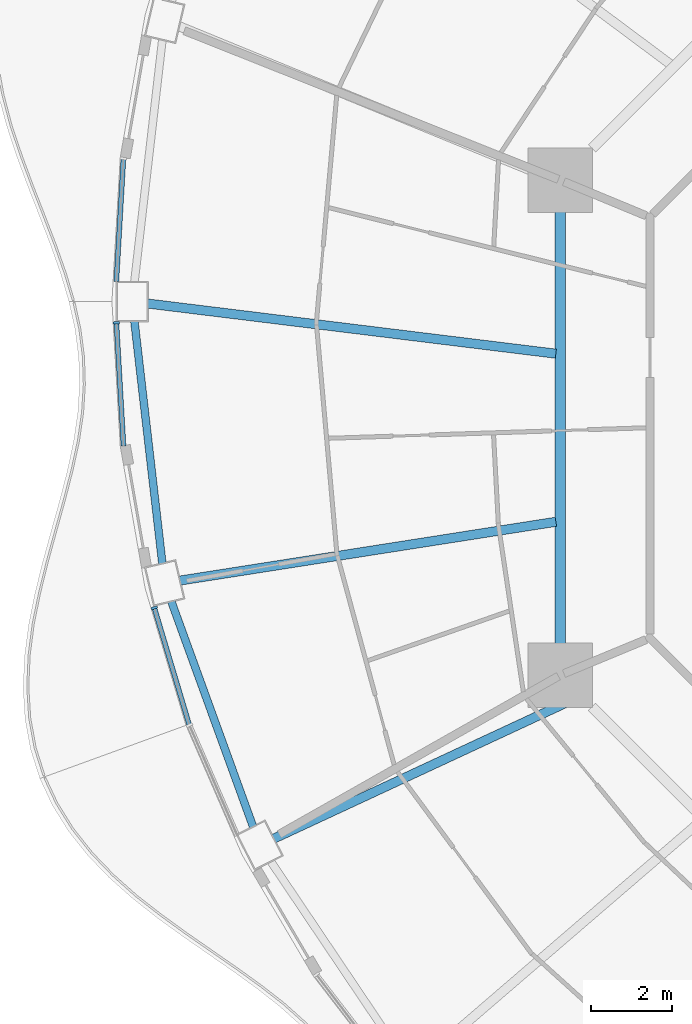
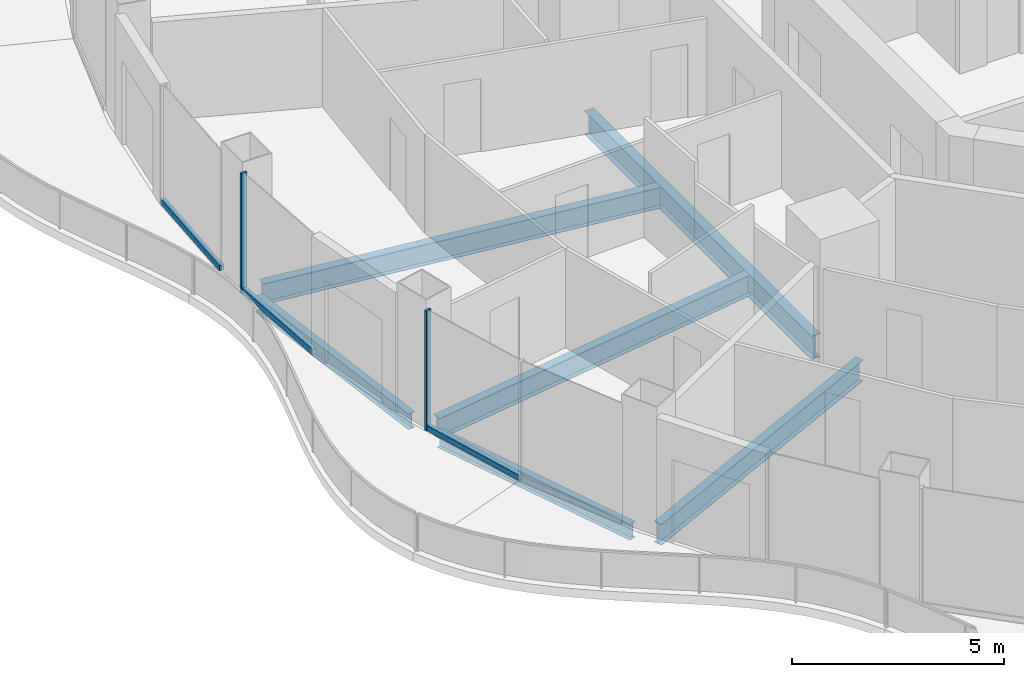
# One storey, part 3 of 18: 6 beams, 5 members, 3 elements without a shape of their own.
"""IFC4 building model written with IfcOpenShell, lengths in metres."""

from ifc_helpers import new_model, si_unit, direction, frame, origin, origin_2d, place, context, subcontext, project, spatial, rectangle, i_section, extrude, material, layer, layer_set, material_profile, profile_set, type_object, element, aggregate, save


model = new_model("IFC4")

# Units and contexts
model_context = context("Model", 3, precision=1e-05, world=origin(), true_north=direction((0.0, 1.0)))
body_context = subcontext(model_context, "Body", "Model", "MODEL_VIEW")
ifc_project = project(units=[si_unit("LENGTHUNIT", "METRE"), si_unit("AREAUNIT", "SQUARE_METRE"), si_unit("VOLUMEUNIT", "CUBIC_METRE"), si_unit("PLANEANGLEUNIT", "RADIAN"), si_unit("MASSUNIT", "GRAM", prefix="KILO")], contexts=[model_context])

# Site, building, storey
site_placement = place(None, origin())
site = spatial("IfcSite", under=ifc_project, at=site_placement, CompositionType="ELEMENT")
building_placement = place(site_placement, origin())
building = spatial("IfcBuilding", under=site, at=building_placement, Name="Nagisa Residences", CompositionType="ELEMENT")
storey_placement = place(building_placement, frame((0.0, 0.0, 215.89990234375)))
storey = spatial("IfcBuildingStorey", under=building, at=storey_placement, Name="L54", CompositionType="ELEMENT", Elevation=215.89990234375)

# Curtain wall, member
ifc_material_1 = material(Name="Concrete-coloured aluminium curtain wall system", Category="concrete")
ifc_layer = layer(ifc_material_1, 0.159912109375)
ifc_layer_set = layer_set([ifc_layer], Name="CW1 CURTAIN WALL")
curtain_wall_type = type_object("IfcCurtainWallType", Name="CW1 CURTAIN WALL", PredefinedType="NOTDEFINED", material=ifc_layer_set)
curtain_wall_1_placement = place(storey_placement, origin())
curtain_wall_1 = element("IfcCurtainWall", 1, at=curtain_wall_1_placement, inside=storey, type_object=curtain_wall_type, Name="cw:CW1:L54:24", PredefinedType="NOTDEFINED")
ifc_material_2 = material(Name="Concrete-coloured aluminium", Category="concrete")
ifc_material_profile_1 = material_profile(ifc_material_2, rectangle(XDim=0.159912109375, YDim=0.06005859375, at=origin_2d()), Name="CW1 MULLION 160x60")
ifc_profile_set_1 = profile_set([ifc_material_profile_1], Name="Concrete-coloured aluminium")
member_type_1 = type_object("IfcMemberType", Name="CW1 MULLION 160x60", PredefinedType="MULLION", material=ifc_profile_set_1)
member_1_placement = place(storey_placement, frame((-25.759765625, 2.59326171875, 0.0), z_axis=(0.0, 0.0, 1.0), x_axis=(0.998345305184, 0.057503492216, 0.0)))
member_1 = element("IfcMember", 2, at=member_1_placement, type_object=member_type_1, Name="CW1 mullion", PredefinedType="MULLION", context=body_context, shape_type="SweptSolid", body=[
    extrude(rectangle(XDim=0.159912109375, YDim=0.06005859375, at=origin_2d()), origin(), (0.0, 0.0, 1.0), 3.440185546875),
])

curtain_wall_2_placement = place(storey_placement, origin())
curtain_wall_2 = element("IfcCurtainWall", 3, at=curtain_wall_2_placement, inside=storey, type_object=curtain_wall_type, Name="cw:CW1:L54:26", PredefinedType="NOTDEFINED")
member_2_placement = place(storey_placement, frame((-24.82177734375, -4.456298828125, 0.0), z_axis=(0.0, 0.0, 1.0), x_axis=(0.958271310082, 0.285860274038, 0.0)))
member_2 = element("IfcMember", 4, at=member_2_placement, type_object=member_type_1, Name="CW1 mullion", PredefinedType="MULLION", context=body_context, shape_type="SweptSolid", body=[
    extrude(rectangle(XDim=0.159912109375, YDim=0.06005859375, at=origin_2d()), origin(), (0.0, 0.0, 1.0), 3.440185546875),
])

curtain_wall_3_placement = place(storey_placement, origin())
curtain_wall_3 = element("IfcCurtainWall", 5, at=curtain_wall_3_placement, inside=storey, type_object=curtain_wall_type, Name="cw:CW1:L54:23", PredefinedType="NOTDEFINED")
ifc_material_3 = material(Name="Concrete-coloured aluminium", Category="concrete")
ifc_material_profile_2 = material_profile(ifc_material_3, rectangle(XDim=0.1201171875, YDim=0.14990234375, at=origin_2d()), Name="CW1 TRANSOM 120x150")
ifc_profile_set_2 = profile_set([ifc_material_profile_2], Name="Concrete-coloured aluminium")
member_type_2 = type_object("IfcMemberType", Name="CW1 TRANSOM 120x150", PredefinedType="USERDEFINED", material=ifc_profile_set_2)
member_3_placement = place(storey_placement, frame((-25.584228515625, 6.688232421875, 0.0751953125), z_axis=(-0.057528189427, -0.998343882348, 0.0), x_axis=(0.998343882348, -0.057528189427, 0.0)))
member_3 = element("IfcMember", 6, at=member_3_placement, type_object=member_type_2, Name="CW1 transom", ObjectType="TRANSOM", PredefinedType="USERDEFINED", context=body_context, shape_type="SweptSolid", body=[
    extrude(rectangle(XDim=0.1201171875, YDim=0.14990234375, at=origin_2d()), origin(), (0.0, 0.0, 1.0), 3.0810546875),
])
aggregate(curtain_wall_3, [member_3])

# Member
member_4_placement = place(storey_placement, frame((-25.761474609375, 2.623046875, 0.0751953125), z_axis=(0.057528189427, -0.998343882348, 0.0), x_axis=(0.998343882348, 0.057528189427, 0.0)))
member_4 = element("IfcMember", 7, at=member_4_placement, type_object=member_type_2, Name="CW1 transom", ObjectType="TRANSOM", PredefinedType="USERDEFINED", context=body_context, shape_type="SweptSolid", body=[
    extrude(rectangle(XDim=0.1201171875, YDim=0.14990234375, at=origin_2d()), origin(), (0.0, 0.0, 1.0), 3.0810546875),
])

aggregate(curtain_wall_1, [member_1, member_4])

member_5_placement = place(storey_placement, frame((-24.830322265625, -4.427734375, 0.0751953125), z_axis=(0.285881452443, -0.958264992134, 0.0), x_axis=(0.958264992134, 0.285881452443, 0.0)))
member_5 = element("IfcMember", 8, at=member_5_placement, type_object=member_type_2, Name="CW1 transom", ObjectType="TRANSOM", PredefinedType="USERDEFINED", context=body_context, shape_type="SweptSolid", body=[
    extrude(rectangle(XDim=0.1201171875, YDim=0.14990234375, at=origin_2d()), origin(), (0.0, 0.0, 1.0), 3.040283203125),
])

aggregate(curtain_wall_2, [member_2, member_5])

# Beams
ifc_material_4 = material(Name="Steel ASTM A572 Gr 50", Category="steel")
ifc_material_profile_3 = material_profile(ifc_material_4, i_section(OverallWidth=0.2529296875, OverallDepth=0.677978515625, WebThickness=0.01171875, FlangeThickness=0.016357421875, at=origin_2d()), Name="W690x125")
ifc_profile_set_3 = profile_set([ifc_material_profile_3], Name="Steel ASTM A572 Gr 50")
beam_type_1 = type_object("IfcBeamType", Name="Inner ring beam W690x125", PredefinedType="BEAM", material=ifc_profile_set_3)
beam_1_placement = place(storey_placement, frame((-14.781982421875, 5.343017578125, -0.598876953125), z_axis=(0.0, -1.0, 0.0), x_axis=(1.0, 0.0, 0.0)))
element("IfcBeam", 9, at=beam_1_placement, inside=storey, type_object=beam_type_1, Name="beam:L54:ib4", PredefinedType="BEAM", context=body_context, shape_type="SweptSolid", body=[
    extrude(i_section(OverallWidth=0.2529296875, OverallDepth=0.677978515625, WebThickness=0.01171875, FlangeThickness=0.016357421875, at=origin_2d()), origin(), (0.0, 0.0, 1.0), 10.68603515625),
])
ifc_material_5 = material(Name="Steel ASTM A572 Gr 50", Category="steel")
ifc_material_profile_4 = material_profile(ifc_material_5, i_section(OverallWidth=0.18994140625, OverallDepth=0.45703125, WebThickness=0.009033203125, FlangeThickness=0.014404296875, at=origin_2d()), Name="W460x74")
ifc_profile_set_4 = profile_set([ifc_material_profile_4], Name="Steel ASTM A572 Gr 50")
beam_type_2 = type_object("IfcBeamType", Name="Perimeter ring beam W460x74", PredefinedType="BEAM", material=ifc_profile_set_4)
beam_2_placement = place(storey_placement, frame((-25.314697265625, 2.637451171875, -0.48828125), z_axis=(0.114650193512, -0.993405925656, 0.0), x_axis=(0.993405925656, 0.114650193512, 0.0)))
element("IfcBeam", 10, at=beam_2_placement, inside=storey, type_object=beam_type_2, Name="beam:L54:pb13", PredefinedType="BEAM", context=body_context, shape_type="SweptSolid", body=[
    extrude(i_section(OverallWidth=0.18994140625, OverallDepth=0.45703125, WebThickness=0.009033203125, FlangeThickness=0.014404296875, at=origin_2d()), origin(), (0.0, 0.0, 1.0), 6.0390625),
])
beam_3_placement = place(storey_placement, frame((-24.40185546875, -4.29638671875, -0.48828125), z_axis=(0.341290329164, -0.939957930558, 0.0), x_axis=(0.939957930558, 0.341290329164, 0.0)))
element("IfcBeam", 11, at=beam_3_placement, inside=storey, type_object=beam_type_2, Name="beam:L54:pb14", PredefinedType="BEAM", context=body_context, shape_type="SweptSolid", body=[
    extrude(i_section(OverallWidth=0.18994140625, OverallDepth=0.45703125, WebThickness=0.009033203125, FlangeThickness=0.014404296875, at=origin_2d()), origin(), (0.0, 0.0, 1.0), 5.932373046875),
])
ifc_material_6 = material(Name="Steel ASTM A572 Gr 50", Category="steel")
ifc_material_profile_5 = material_profile(ifc_material_6, i_section(OverallWidth=0.22802734375, OverallDepth=0.60302734375, WebThickness=0.010498046875, FlangeThickness=0.014892578125, at=origin_2d()), Name="W610x101")
ifc_profile_set_5 = profile_set([ifc_material_profile_5], Name="Steel ASTM A572 Gr 50")
beam_type_3 = type_object("IfcBeamType", Name="Radial beam W610x101", PredefinedType="BEAM", material=ifc_profile_set_5)
beam_4_placement = place(storey_placement, frame((-24.98974609375, 3.071044921875, -0.5615234375), z_axis=(0.992531892614, -0.121985417749, 0.0), x_axis=(0.121985417749, 0.992531892614, 0.0)))
element("IfcBeam", 12, at=beam_4_placement, inside=storey, type_object=beam_type_3, Name="beam:L54:rb13", PredefinedType="BEAM", context=body_context, shape_type="SweptSolid", body=[
    extrude(i_section(OverallWidth=0.22802734375, OverallDepth=0.60302734375, WebThickness=0.010498046875, FlangeThickness=0.014892578125, at=origin_2d()), origin(), (0.0, 0.0, 1.0), 10.177001953125),
])
beam_5_placement = place(storey_placement, frame((-24.190185546875, -3.782958984375, -0.5615234375), z_axis=(0.987991506145, 0.154508199738, 0.0), x_axis=(-0.154508199738, 0.987991506145, 0.0)))
element("IfcBeam", 13, at=beam_5_placement, inside=storey, type_object=beam_type_3, Name="beam:L54:rb14", PredefinedType="BEAM", context=body_context, shape_type="SweptSolid", body=[
    extrude(i_section(OverallWidth=0.22802734375, OverallDepth=0.60302734375, WebThickness=0.010498046875, FlangeThickness=0.014892578125, at=origin_2d()), origin(), (0.0, 0.0, 1.0), 9.414306640625),
])
beam_6_placement = place(storey_placement, frame((-21.867431640625, -10.1669921875, -0.5615234375), z_axis=(0.906781531642, 0.421600822903, 0.0), x_axis=(-0.421600822903, 0.906781531642, 0.0)))
element("IfcBeam", 14, at=beam_6_placement, inside=storey, type_object=beam_type_3, Name="beam:L54:rb15", PredefinedType="BEAM", context=body_context, shape_type="SweptSolid", body=[
    extrude(i_section(OverallWidth=0.22802734375, OverallDepth=0.60302734375, WebThickness=0.010498046875, FlangeThickness=0.014892578125, at=origin_2d()), origin(), (0.0, 0.0, 1.0), 8.263427734375),
])

save(model, "model.ifc")
